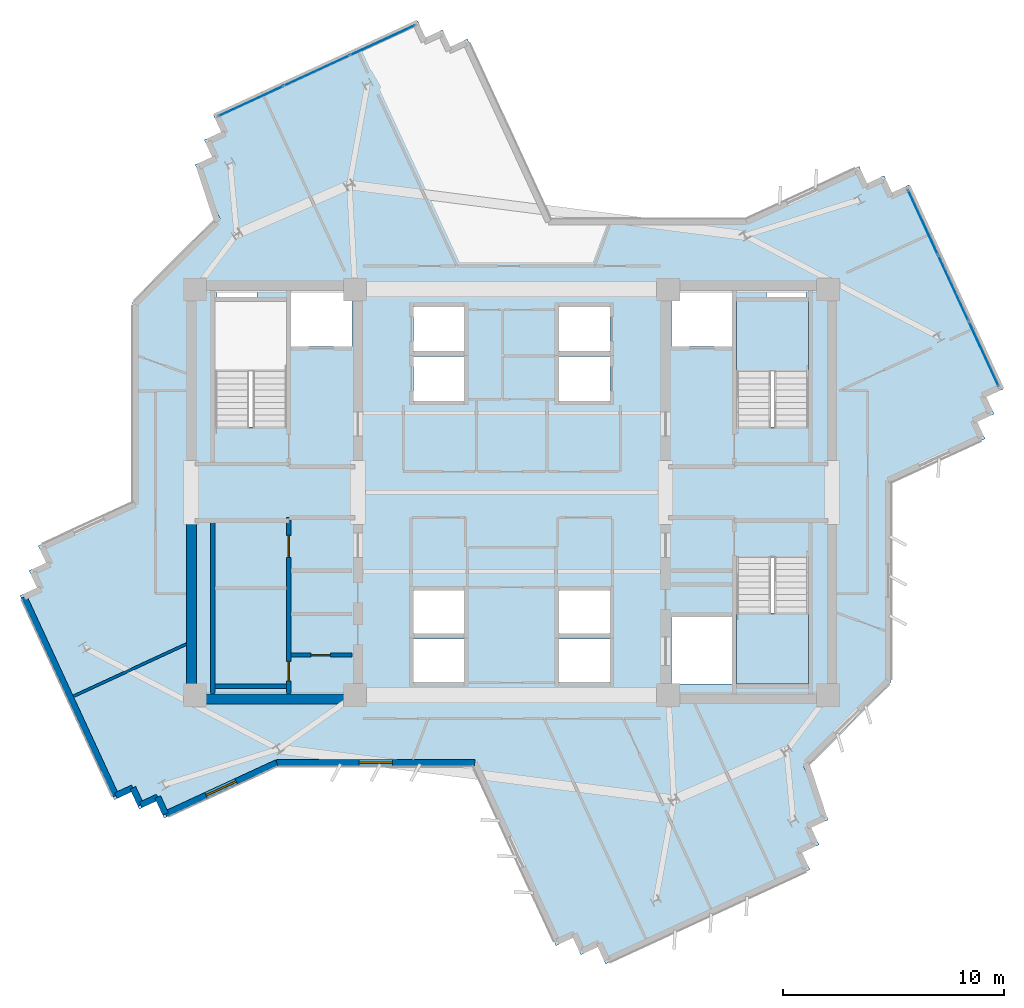
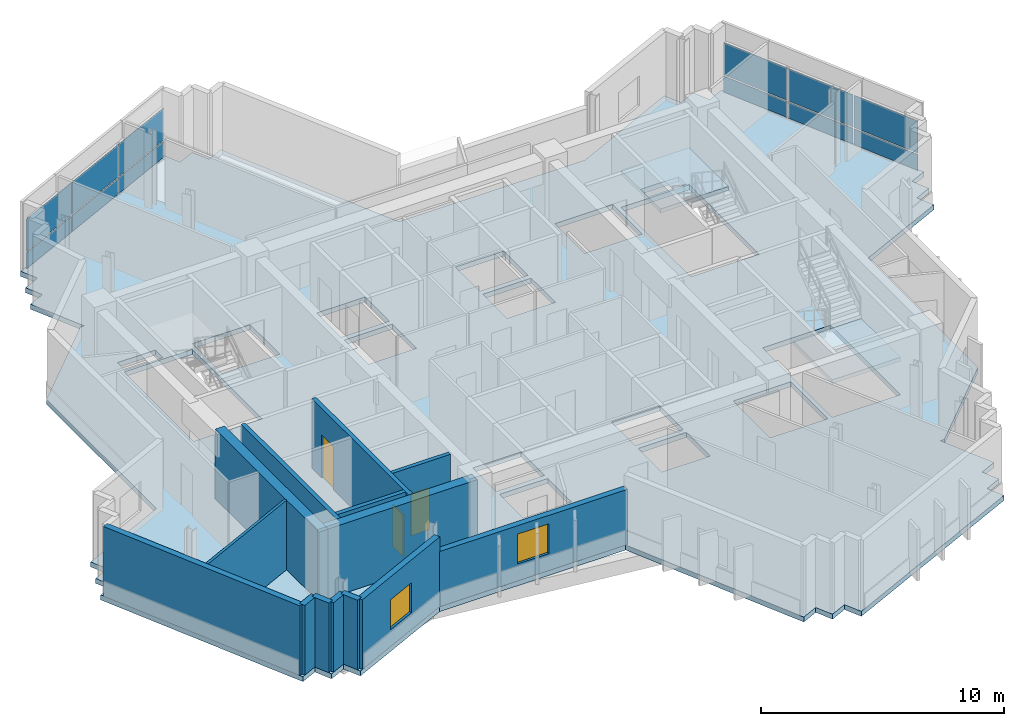
# One storey, part 4 of 12: 14 walls, 12 plates, 3 doors, 3 slabs, 2 windows, 5 openings, 4 elements without a shape of their own.
"""IFC4 building model written with IfcOpenShell, lengths in metres."""

from ifc_helpers import new_model, si_unit, direction, frame, frame_2d, origin, origin_2d, place, context, subcontext, project, spatial, polyline, rectangle, outline, extrude, source, transform, mapped, material, layer, layer_set, type_object, element, fill, aggregate, save


model = new_model("IFC4")

# Units and contexts
model_context = context("Model", 3, precision=1e-05, world=origin(), true_north=direction((0.0, 1.0)))
body_context = subcontext(model_context, "Body", "Model", "MODEL_VIEW")
ifc_project = project(units=[si_unit("LENGTHUNIT", "METRE"), si_unit("AREAUNIT", "SQUARE_METRE"), si_unit("VOLUMEUNIT", "CUBIC_METRE"), si_unit("PLANEANGLEUNIT", "RADIAN"), si_unit("MASSUNIT", "GRAM", prefix="KILO")], contexts=[model_context])

# Site, building, storey
site_placement = place(None, origin())
site = spatial("IfcSite", under=ifc_project, at=site_placement, CompositionType="ELEMENT")
building_placement = place(site_placement, origin())
building = spatial("IfcBuilding", under=site, at=building_placement, Name="Zahravan Cultural Tower", CompositionType="ELEMENT")
storey_placement = place(building_placement, frame((0.0, 0.0, 239.10009765625)))
storey = spatial("IfcBuildingStorey", under=building, at=storey_placement, Name="L56", CompositionType="ELEMENT", Elevation=239.10009765625)

# Stair, slab
ifc_material_1 = material(Name="Concrete C45/55", Category="concrete")
stair_type = type_object("IfcStairType", Name="STR-DL-1550-375", PredefinedType="HALF_TURN_STAIR", material=ifc_material_1)
stair_1_placement = place(storey_placement, origin())
stair_1 = element("IfcStair", 1, at=stair_1_placement, inside=storey, type_object=stair_type, Name="L56 East Core North Exit Stair ST-E1", PredefinedType="HALF_TURN_STAIR")
ifc_layer_1 = layer(ifc_material_1, 0.199951171875)
ifc_layer_set_1 = layer_set([ifc_layer_1], Name="Concrete C45/55")
slab_type_1 = type_object("IfcSlabType", Name="SL-STAIR-LND200", PredefinedType="LANDING", material=ifc_layer_set_1)
slab_1_placement = place(storey_placement, frame((0.0, 0.0, 1.6748046875)))
slab_1 = element("IfcSlab", 2, at=slab_1_placement, type_object=slab_type_1, Name="ST-E1 landing 1", PredefinedType="LANDING", context=body_context, shape_type="SweptSolid", body=[
    extrude(outline(polyline([(49.449951171875, 32.469970703125), (49.449951171875, 35.699951171875), (46.199951171875, 35.699951171875), (46.199951171875, 32.469970703125), (49.449951171875, 32.469970703125)])), origin(), (0.0, 0.0, 1.0), 0.2001953125),
])
aggregate(stair_1, [slab_1])

stair_2_placement = place(storey_placement, origin())
stair_2 = element("IfcStair", 3, at=stair_2_placement, inside=storey, type_object=stair_type, Name="L56 East Core South Exit Stair ST-E2", PredefinedType="HALF_TURN_STAIR")
slab_2_placement = place(storey_placement, frame((0.0, 0.0, 1.6748046875)))
slab_2 = element("IfcSlab", 4, at=slab_2_placement, type_object=slab_type_1, Name="ST-E2 landing 1", PredefinedType="LANDING", context=body_context, shape_type="SweptSolid", body=[
    extrude(outline(polyline([(46.199951171875, 21.530029296875), (46.199951171875, 18.300048828125), (49.449951171875, 18.300048828125), (49.449951171875, 21.530029296875), (46.199951171875, 21.530029296875)])), origin(), (0.0, 0.0, 1.0), 0.2001953125),
])
aggregate(stair_2, [slab_2])

# Slab
ifc_material_2 = material(Name="Concrete C40/50", Category="concrete")
ifc_layer_2 = layer(ifc_material_2, 0.25)
ifc_layer_set_2 = layer_set([ifc_layer_2], Name="Concrete C40/50")
slab_type_2 = type_object("IfcSlabType", Name="SL-TYP-250", PredefinedType="FLOOR", material=ifc_layer_set_2)
slab_3_placement = place(storey_placement, frame((0.0, 0.0, -0.25)))
element("IfcSlab", 5, at=slab_3_placement, inside=storey, type_object=slab_type_2, Name="L56 Structural Floor Slab", PredefinedType="FLOOR", context=body_context, shape_type="SweptSolid", body=[
    extrude(outline(polyline([(46.62451171875, 39.39990234375), (37.76123046875, 39.39990234375), (33.99365234375, 47.553955078125), (33.221923828125, 47.197509765625), (32.865478515625, 47.968994140625), (32.09375, 47.612548828125), (31.7373046875, 48.384033203125), (22.47802734375, 44.105712890625), (22.83447265625, 43.333984375), (22.06298828125, 42.9775390625), (22.41943359375, 42.205810546875), (21.647705078125, 41.849365234375), (22.779541015625, 39.39990234375), (22.60009765625, 39.39990234375), (18.800048828125, 35.60009765625), (18.800048828125, 26.543212890625), (14.538330078125, 24.57421875), (14.894775390625, 23.802490234375), (14.123291015625, 23.446044921875), (14.479736328125, 22.67431640625), (13.7080078125, 22.31787109375), (17.986572265625, 13.05859375), (18.75830078125, 13.4150390625), (19.11474609375, 12.643310546875), (19.88623046875, 13.0), (20.242919921875, 12.228271484375), (25.37548828125, 14.60009765625), (34.23876953125, 14.60009765625), (38.00634765625, 6.446044921875), (38.778076171875, 6.802490234375), (39.134521484375, 6.031005859375), (39.90625, 6.387451171875), (40.2626953125, 5.615966796875), (49.52197265625, 9.894287109375), (49.16552734375, 10.666015625), (49.93701171875, 11.0224609375), (49.58056640625, 11.794189453125), (50.352294921875, 12.150634765625), (49.220458984375, 14.60009765625), (49.39990234375, 14.60009765625), (53.199951171875, 18.39990234375), (53.199951171875, 27.456787109375), (57.461669921875, 29.42578125), (57.105224609375, 30.197509765625), (57.876708984375, 30.553955078125), (57.520263671875, 31.32568359375), (58.2919921875, 31.68212890625), (54.013427734375, 40.94140625), (53.24169921875, 40.5849609375), (52.88525390625, 41.356689453125), (52.11376953125, 41.0), (51.757080078125, 41.771728515625), (46.62451171875, 39.39990234375)]), holes=[polyline([(22.550048828125, 29.949951171875), (22.550048828125, 35.699951171875), (25.800048828125, 35.699951171875), (25.800048828125, 29.949951171875), (22.550048828125, 29.949951171875)]), polyline([(46.199951171875, 29.949951171875), (46.199951171875, 35.699951171875), (49.449951171875, 35.699951171875), (49.449951171875, 29.949951171875), (46.199951171875, 29.949951171875)]), polyline([(46.199951171875, 18.300048828125), (46.199951171875, 24.050048828125), (49.449951171875, 24.050048828125), (49.449951171875, 18.300048828125), (46.199951171875, 18.300048828125)]), polyline([(26.0, 33.60009765625), (26.0, 36.050048828125), (28.75, 36.050048828125), (28.75, 33.60009765625), (26.0, 33.60009765625)]), polyline([(43.25, 33.60009765625), (43.25, 36.050048828125), (46.0, 36.050048828125), (46.0, 33.60009765625), (43.25, 33.60009765625)]), polyline([(43.25, 18.300048828125), (43.25, 21.35009765625), (46.0, 21.35009765625), (46.0, 18.300048828125), (43.25, 18.300048828125)]), polyline([(31.550048828125, 33.39990234375), (31.550048828125, 35.39990234375), (33.85009765625, 35.39990234375), (33.85009765625, 33.39990234375), (31.550048828125, 33.39990234375)]), polyline([(31.550048828125, 31.14990234375), (31.550048828125, 33.14990234375), (33.85009765625, 33.14990234375), (33.85009765625, 31.14990234375), (31.550048828125, 31.14990234375)]), polyline([(38.14990234375, 33.39990234375), (38.14990234375, 35.39990234375), (40.449951171875, 35.39990234375), (40.449951171875, 33.39990234375), (38.14990234375, 33.39990234375)]), polyline([(38.14990234375, 31.14990234375), (38.14990234375, 33.14990234375), (40.449951171875, 33.14990234375), (40.449951171875, 31.14990234375), (38.14990234375, 31.14990234375)]), polyline([(31.550048828125, 20.60009765625), (31.550048828125, 22.550048828125), (33.85009765625, 22.550048828125), (33.85009765625, 20.60009765625), (31.550048828125, 20.60009765625)]), polyline([(31.550048828125, 18.39990234375), (31.550048828125, 20.35009765625), (33.85009765625, 20.35009765625), (33.85009765625, 18.39990234375), (31.550048828125, 18.39990234375)]), polyline([(38.14990234375, 20.60009765625), (38.14990234375, 22.550048828125), (40.449951171875, 22.550048828125), (40.449951171875, 20.60009765625), (38.14990234375, 20.60009765625)]), polyline([(38.14990234375, 18.39990234375), (38.14990234375, 20.35009765625), (40.449951171875, 20.35009765625), (40.449951171875, 18.39990234375), (38.14990234375, 18.39990234375)]), polyline([(22.64990234375, 35.800048828125), (22.64990234375, 36.419921875), (24.449951171875, 36.419921875), (24.449951171875, 35.800048828125), (22.64990234375, 35.800048828125)]), polyline([(47.550048828125, 35.800048828125), (47.550048828125, 36.419921875), (49.35009765625, 36.419921875), (49.35009765625, 35.800048828125), (47.550048828125, 35.800048828125)])]), origin(), (0.0, 0.0, 1.0), 0.25),
])

# Curtain wall, plates
ifc_material_3 = material(Name="Anodised bronze-aluminium mullion", Category="aluminium")
ifc_layer_3 = layer(ifc_material_3, 0.179931640625)
ifc_layer_set_3 = layer_set([ifc_layer_3], Name="Anodised bronze-aluminium mullion")
curtain_wall_type_1 = type_object("IfcCurtainWallType", Name="CW-SYS-3", PredefinedType="USERDEFINED", material=ifc_layer_set_3)
curtain_wall_1_placement = place(storey_placement, origin())
curtain_wall_1 = element("IfcCurtainWall", 6, at=curtain_wall_1_placement, inside=storey, type_object=curtain_wall_type_1, Name="L56 Recessed Curtain Wall CW-3.1", ObjectType="RECESSED GLAZING", PredefinedType="USERDEFINED")
ifc_material_4 = material(Name="Low-E solar-control double glazing", Category="glass")
ifc_layer_4 = layer(ifc_material_4, 0.028076171875)
ifc_layer_set_4 = layer_set([ifc_layer_4], Name="Low-E solar-control double glazing")
plate_type_1 = type_object("IfcPlateType", Name="CWP-CW-3", PredefinedType="CURTAIN_PANEL", material=ifc_layer_set_4)
shared_shape_1 = source(origin(), body_context, "Body", "SweptSolid", [
    extrude(rectangle(XDim=3.20166015625, YDim=0.028076171875, at=origin_2d()), origin(), (0.0, 0.0, 1.0), 0.794921875),
])
plate_1_placement = place(storey_placement, frame((54.64599609375, 39.239013671875, 0.06982421875), z_axis=(0.0, 0.0, 1.0), x_axis=(0.419457036846, -0.907775189262, 0.0)))
plate_1 = element("IfcPlate", 7, at=plate_1_placement, type_object=plate_type_1, Name="CW-3 panel 1.1", PredefinedType="CURTAIN_PANEL", context=body_context, shape_type="MappedRepresentation", body=[
    mapped(shared_shape_1, transform((0.0, 0.0, 0.0), x_axis=(1.0, 0.0, 0.0), y_axis=(0.0, 1.0, 0.0), z_axis=(0.0, 0.0, 1.0), scale=1.0)),
])
plate_2_placement = place(storey_placement, frame((57.4052734375, 33.267333984375, 0.06982421875), z_axis=(0.0, 0.0, 1.0), x_axis=(0.419457036846, -0.907775189262, 0.0)))
plate_2 = element("IfcPlate", 8, at=plate_2_placement, type_object=plate_type_1, Name="CW-3 panel 3.1", PredefinedType="CURTAIN_PANEL", context=body_context, shape_type="MappedRepresentation", body=[
    mapped(shared_shape_1, transform((0.0, 0.0, 0.0), x_axis=(1.0, 0.0, 0.0), y_axis=(0.0, 1.0, 0.0), z_axis=(0.0, 0.0, 1.0), scale=1.0)),
])
shared_shape_2 = source(origin(), body_context, "Body", "SweptSolid", [
    extrude(rectangle(XDim=3.236572265625, YDim=0.028076171875, at=origin_2d()), origin(), (0.0, 0.0, 1.0), 0.794921875),
])
plate_3_placement = place(storey_placement, frame((56.025634765625, 36.253173828125, 0.06982421875), z_axis=(0.0, 0.0, 1.0), x_axis=(0.419457036846, -0.907775189262, 0.0)))
plate_3 = element("IfcPlate", 9, at=plate_3_placement, type_object=plate_type_1, Name="CW-3 panel 2.1", PredefinedType="CURTAIN_PANEL", context=body_context, shape_type="MappedRepresentation", body=[
    mapped(shared_shape_2, transform((0.0, 0.0, 0.0), x_axis=(1.0, 0.0, 0.0), y_axis=(0.0, 1.0, 0.0), z_axis=(0.0, 0.0, 1.0), scale=1.0)),
])

ifc_layer_5 = layer(ifc_material_3, 0.1650390625)
ifc_layer_set_5 = layer_set([ifc_layer_5], Name="Anodised bronze-aluminium mullion")
curtain_wall_type_2 = type_object("IfcCurtainWallType", Name="CW-SYS-4", PredefinedType="USERDEFINED", material=ifc_layer_set_5)
curtain_wall_2_placement = place(storey_placement, origin())
curtain_wall_2 = element("IfcCurtainWall", 10, at=curtain_wall_2_placement, inside=storey, type_object=curtain_wall_type_2, Name="L56 Recessed Curtain Wall CW-4.2", ObjectType="RECESSED GLAZING", PredefinedType="USERDEFINED")
ifc_layer_6 = layer(ifc_material_4, 0.02587890625)
ifc_layer_set_6 = layer_set([ifc_layer_6], Name="Low-E solar-control double glazing")
plate_type_2 = type_object("IfcPlateType", Name="CWP-CW-4", PredefinedType="CURTAIN_PANEL", material=ifc_layer_set_6)
shared_shape_3 = source(origin(), body_context, "Body", "SweptSolid", [
    extrude(rectangle(XDim=3.209228515625, YDim=0.02587890625, at=origin_2d()), origin(), (0.0, 0.0, 1.0), 0.802490234375),
])
plate_4_placement = place(storey_placement, frame((24.179443359375, 44.737548828125, 0.06494140625), z_axis=(0.0, 0.0, 1.0), x_axis=(0.907775189262, 0.419457036846, 0.0)))
plate_4 = element("IfcPlate", 11, at=plate_4_placement, type_object=plate_type_2, Name="CW-4 panel 1.1", PredefinedType="CURTAIN_PANEL", context=body_context, shape_type="MappedRepresentation", body=[
    mapped(shared_shape_3, transform((0.0, 0.0, 0.0), x_axis=(1.0, 0.0, 0.0), y_axis=(0.0, 1.0, 0.0), z_axis=(0.0, 0.0, 1.0), scale=1.0)),
])
plate_5_placement = place(storey_placement, frame((30.1533203125, 47.498046875, 0.06494140625), z_axis=(0.0, 0.0, 1.0), x_axis=(0.907775189262, 0.419457036846, 0.0)))
plate_5 = element("IfcPlate", 12, at=plate_5_placement, type_object=plate_type_2, Name="CW-4 panel 3.1", PredefinedType="CURTAIN_PANEL", context=body_context, shape_type="MappedRepresentation", body=[
    mapped(shared_shape_3, transform((0.0, 0.0, 0.0), x_axis=(1.0, 0.0, 0.0), y_axis=(0.0, 1.0, 0.0), z_axis=(0.0, 0.0, 1.0), scale=1.0)),
])
shared_shape_4 = source(origin(), body_context, "Body", "SweptSolid", [
    extrude(rectangle(XDim=3.24169921875, YDim=0.02587890625, at=origin_2d()), origin(), (0.0, 0.0, 1.0), 0.802490234375),
])
plate_6_placement = place(storey_placement, frame((27.166259765625, 46.117919921875, 0.06494140625), z_axis=(0.0, 0.0, 1.0), x_axis=(0.907775189262, 0.419457036846, 0.0)))
plate_6 = element("IfcPlate", 13, at=plate_6_placement, type_object=plate_type_2, Name="CW-4 panel 2.1", PredefinedType="CURTAIN_PANEL", context=body_context, shape_type="MappedRepresentation", body=[
    mapped(shared_shape_4, transform((0.0, 0.0, 0.0), x_axis=(1.0, 0.0, 0.0), y_axis=(0.0, 1.0, 0.0), z_axis=(0.0, 0.0, 1.0), scale=1.0)),
])

# Plate
shared_shape_5 = source(origin(), body_context, "Body", "SweptSolid", [
    extrude(rectangle(XDim=3.20166015625, YDim=0.028076171875, at=origin_2d()), origin(), (0.0, 0.0, 1.0), 1.614990234375),
])
plate_7_placement = place(storey_placement, frame((54.64599609375, 39.239013671875, 0.93505859375), z_axis=(0.0, 0.0, 1.0), x_axis=(0.419457036846, -0.907775189262, 0.0)))
plate_7 = element("IfcPlate", 14, at=plate_7_placement, type_object=plate_type_1, Name="CW-3 panel 1.2", PredefinedType="CURTAIN_PANEL", context=body_context, shape_type="MappedRepresentation", body=[
    mapped(shared_shape_5, transform((0.0, 0.0, 0.0), x_axis=(1.0, 0.0, 0.0), y_axis=(0.0, 1.0, 0.0), z_axis=(0.0, 0.0, 1.0), scale=1.0)),
])

plate_8_placement = place(storey_placement, frame((57.4052734375, 33.267333984375, 0.93505859375), z_axis=(0.0, 0.0, 1.0), x_axis=(0.419457036846, -0.907775189262, 0.0)))
plate_8 = element("IfcPlate", 15, at=plate_8_placement, type_object=plate_type_1, Name="CW-3 panel 3.2", PredefinedType="CURTAIN_PANEL", context=body_context, shape_type="MappedRepresentation", body=[
    mapped(shared_shape_5, transform((0.0, 0.0, 0.0), x_axis=(1.0, 0.0, 0.0), y_axis=(0.0, 1.0, 0.0), z_axis=(0.0, 0.0, 1.0), scale=1.0)),
])

shared_shape_6 = source(origin(), body_context, "Body", "SweptSolid", [
    extrude(rectangle(XDim=3.236572265625, YDim=0.028076171875, at=origin_2d()), origin(), (0.0, 0.0, 1.0), 1.614990234375),
])
plate_9_placement = place(storey_placement, frame((56.025634765625, 36.253173828125, 0.93505859375), z_axis=(0.0, 0.0, 1.0), x_axis=(0.419457036846, -0.907775189262, 0.0)))
plate_9 = element("IfcPlate", 16, at=plate_9_placement, type_object=plate_type_1, Name="CW-3 panel 2.2", PredefinedType="CURTAIN_PANEL", context=body_context, shape_type="MappedRepresentation", body=[
    mapped(shared_shape_6, transform((0.0, 0.0, 0.0), x_axis=(1.0, 0.0, 0.0), y_axis=(0.0, 1.0, 0.0), z_axis=(0.0, 0.0, 1.0), scale=1.0)),
])

aggregate(curtain_wall_1, [plate_1, plate_7, plate_3, plate_9, plate_2, plate_8])

shared_shape_7 = source(origin(), body_context, "Body", "SweptSolid", [
    extrude(rectangle(XDim=3.209228515625, YDim=0.02587890625, at=origin_2d()), origin(), (0.0, 0.0, 1.0), 1.62255859375),
])
plate_10_placement = place(storey_placement, frame((24.179443359375, 44.737548828125, 0.932373046875), z_axis=(0.0, 0.0, 1.0), x_axis=(0.907775189262, 0.419457036846, 0.0)))
plate_10 = element("IfcPlate", 17, at=plate_10_placement, type_object=plate_type_2, Name="CW-4 panel 1.2", PredefinedType="CURTAIN_PANEL", context=body_context, shape_type="MappedRepresentation", body=[
    mapped(shared_shape_7, transform((0.0, 0.0, 0.0), x_axis=(1.0, 0.0, 0.0), y_axis=(0.0, 1.0, 0.0), z_axis=(0.0, 0.0, 1.0), scale=1.0)),
])

plate_11_placement = place(storey_placement, frame((30.1533203125, 47.498046875, 0.932373046875), z_axis=(0.0, 0.0, 1.0), x_axis=(0.907775189262, 0.419457036846, 0.0)))
plate_11 = element("IfcPlate", 18, at=plate_11_placement, type_object=plate_type_2, Name="CW-4 panel 3.2", PredefinedType="CURTAIN_PANEL", context=body_context, shape_type="MappedRepresentation", body=[
    mapped(shared_shape_7, transform((0.0, 0.0, 0.0), x_axis=(1.0, 0.0, 0.0), y_axis=(0.0, 1.0, 0.0), z_axis=(0.0, 0.0, 1.0), scale=1.0)),
])

shared_shape_8 = source(origin(), body_context, "Body", "SweptSolid", [
    extrude(rectangle(XDim=3.24169921875, YDim=0.02587890625, at=origin_2d()), origin(), (0.0, 0.0, 1.0), 1.62255859375),
])
plate_12_placement = place(storey_placement, frame((27.166259765625, 46.117919921875, 0.932373046875), z_axis=(0.0, 0.0, 1.0), x_axis=(0.907775189262, 0.419457036846, 0.0)))
plate_12 = element("IfcPlate", 19, at=plate_12_placement, type_object=plate_type_2, Name="CW-4 panel 2.2", PredefinedType="CURTAIN_PANEL", context=body_context, shape_type="MappedRepresentation", body=[
    mapped(shared_shape_8, transform((0.0, 0.0, 0.0), x_axis=(1.0, 0.0, 0.0), y_axis=(0.0, 1.0, 0.0), z_axis=(0.0, 0.0, 1.0), scale=1.0)),
])

aggregate(curtain_wall_2, [plate_4, plate_10, plate_6, plate_12, plate_5, plate_11])

# Wall, opening, window
ifc_material_5 = material(Name="Precast concrete C40/50", Category="concrete")
ifc_layer_7 = layer(ifc_material_5, 0.280029296875)
ifc_layer_set_7 = layer_set([ifc_layer_7], Name="Precast concrete C40/50")
wall_type_1 = type_object("IfcWallType", Name="EW-TC-280", PredefinedType="SOLIDWALL", material=ifc_layer_set_7)
wall_1_placement = place(storey_placement, frame((34.328369140625, 14.739990234375, 0.0), z_axis=(0.0, 0.0, 1.0), x_axis=(-1.0, 0.0, 0.0)))
wall_1 = element("IfcWall", 20, at=wall_1_placement, inside=storey, type_object=wall_type_1, Name="L56 Exterior Masonry Frame Wall 24", PredefinedType="SOLIDWALL", context=body_context, shape_type="SweptSolid", body=[
    extrude(rectangle(XDim=8.983642578125, YDim=0.280029296875, at=frame_2d((4.49169921875, 0.0))), origin(), (0.0, 0.0, 1.0), 2.77197265625),
])
opening_1_placement = place(wall_1_placement, frame((3.741943359375, 0.0, 0.85009765625)))
opening_1 = element("IfcOpeningElement", 21, at=opening_1_placement, cuts=wall_1, Name="Opening WN-03", PredefinedType="OPENING", context=body_context, shape_type="SweptSolid", body=[
    extrude(rectangle(XDim=1.5, YDim=1.5, at=frame_2d((0.75, 0.75))), frame((0.0, 0.14990234375, 0.0), z_axis=(0.0, -1.0, 0.0), x_axis=(1.0, 0.0, 0.0)), (0.0, 0.0, 1.0), 0.300048828125),
])
window_type = type_object("IfcWindowType", Name="WN-REC-1500X1500", PartitioningType="SINGLE_PANEL", PredefinedType="WINDOW", material=ifc_material_4)
shared_shape_9 = source(origin(), body_context, "Body", "SweptSolid", [
    extrude(rectangle(XDim=1.5, YDim=1.5, at=frame_2d((0.75, 0.75))), frame((0.0, 0.030029296875, 0.0), z_axis=(0.0, -1.0, 0.0), x_axis=(1.0, 0.0, 0.0)), (0.0, 0.0, 1.0), 0.06005859375),
])
window_1_placement = place(opening_1_placement, origin())
window_1 = element("IfcWindow", 22, at=window_1_placement, inside=storey, type_object=window_type, Name="L56 Recessed Solar Window 06", OverallHeight=1.5, OverallWidth=1.5, PartitioningType="SINGLE_PANEL", PredefinedType="WINDOW", context=body_context, shape_type="MappedRepresentation", body=[
    mapped(shared_shape_9, transform((0.0, 0.0, 0.0), x_axis=(1.0, 0.0, 0.0), y_axis=(0.0, 1.0, 0.0), z_axis=(0.0, 0.0, 1.0), scale=1.0)),
])
fill(opening_1, window_1)

wall_2_placement = place(storey_placement, frame((25.3447265625, 14.739990234375, 0.0), z_axis=(0.0, 0.0, 1.0), x_axis=(-0.907767275269, -0.419474163627, 0.0)))
wall_2 = element("IfcWall", 23, at=wall_2_placement, inside=storey, type_object=wall_type_1, Name="L56 Exterior Masonry Frame Wall 25", PredefinedType="SOLIDWALL", context=body_context, shape_type="SweptSolid", body=[
    extrude(rectangle(XDim=5.544921875, YDim=0.280029296875, at=frame_2d((2.7724609375, 0.0))), origin(), (0.0, 0.0, 1.0), 3.5),
])
opening_2_placement = place(wall_2_placement, frame((2.02197265625, 0.0, 0.85009765625)))
opening_2 = element("IfcOpeningElement", 24, at=opening_2_placement, cuts=wall_2, Name="Opening WN-03", PredefinedType="OPENING", context=body_context, shape_type="SweptSolid", body=[
    extrude(rectangle(XDim=1.5, YDim=1.5, at=frame_2d((0.75, 0.75))), frame((0.0, 0.14990234375, 0.0), z_axis=(0.0, -1.0, 0.0), x_axis=(1.0, 0.0, 0.0)), (0.0, 0.0, 1.0), 0.300048828125),
])
window_2_placement = place(opening_2_placement, origin())
window_2 = element("IfcWindow", 25, at=window_2_placement, inside=storey, type_object=window_type, Name="L56 Recessed Solar Window 07", OverallHeight=1.5, OverallWidth=1.5, PartitioningType="SINGLE_PANEL", PredefinedType="WINDOW", context=body_context, shape_type="MappedRepresentation", body=[
    mapped(shared_shape_9, transform((0.0, 0.0, 0.0), x_axis=(1.0, 0.0, 0.0), y_axis=(0.0, 1.0, 0.0), z_axis=(0.0, 0.0, 1.0), scale=1.0)),
])
fill(opening_2, window_2)

# Wall, opening, door
ifc_material_6 = material(Name="Gypsum plasterboard partition")
ifc_layer_8 = layer(ifc_material_6, 0.179931640625)
ifc_layer_set_8 = layer_set([ifc_layer_8], Name="Gypsum plasterboard partition")
wall_type_2 = type_object("IfcWallType", Name="W-COMP-180", PredefinedType="PARTITIONING", material=ifc_layer_set_8)
wall_3_placement = place(storey_placement, frame((26.0, 19.6201171875, 0.0), z_axis=(0.0, 0.0, 1.0), x_axis=(1.0, 0.0, 0.0)))
wall_3 = element("IfcWall", 26, at=wall_3_placement, inside=storey, type_object=wall_type_2, Name="L56 Interior Wall 027", PredefinedType="PARTITIONING", context=body_context, shape_type="SweptSolid", body=[
    extrude(rectangle(XDim=2.75, YDim=0.179931640625, at=frame_2d((1.375, 0.0))), origin(), (0.0, 0.0, 1.0), 3.5),
])
opening_3_placement = place(wall_3_placement, frame((0.89990234375, 0.0, 0.0)))
opening_3 = element("IfcOpeningElement", 27, at=opening_3_placement, cuts=wall_3, Name="Opening D-L56-10", PredefinedType="OPENING", context=body_context, shape_type="SweptSolid", body=[
    extrude(rectangle(XDim=0.8798828125, YDim=2.10009765625, at=frame_2d((0.43994140625, 1.050048828125))), frame((0.0, 0.099853515625, 0.0), z_axis=(0.0, -1.0, 0.0), x_axis=(1.0, 0.0, 0.0)), (0.0, 0.0, 1.0), 0.199951171875),
])
ifc_material_7 = material(Name="Steel ASTM A572 Grade 50", Category="steel")
door_type_1 = type_object("IfcDoorType", Name="DR-SVC-880", OperationType="NOTDEFINED", PredefinedType="DOOR", material=ifc_material_7)
shared_shape_10 = source(origin(), body_context, "Body", "SweptSolid", [
    extrude(rectangle(XDim=0.8798828125, YDim=2.10009765625, at=frame_2d((0.43994140625, 1.050048828125))), frame((0.0, 0.02490234375, 0.0), z_axis=(0.0, -1.0, 0.0), x_axis=(1.0, 0.0, 0.0)), (0.0, 0.0, 1.0), 0.050048828125),
])
door_1_placement = place(opening_3_placement, origin())
door_1 = element("IfcDoor", 28, at=door_1_placement, inside=storey, type_object=door_type_1, Name="L56 Door D-L56-10", OperationType="SINGLE_SWING_LEFT", OverallHeight=2.10009765625, OverallWidth=0.8798828125, PredefinedType="DOOR", context=body_context, shape_type="MappedRepresentation", body=[
    mapped(shared_shape_10, transform((0.0, 0.0, 0.0), x_axis=(1.0, 0.0, 0.0), y_axis=(0.0, 1.0, 0.0), z_axis=(0.0, 0.0, 1.0), scale=1.0)),
])
fill(opening_3, door_1)

# Wall, openings, doors
ifc_layer_9 = layer(ifc_material_1, 0.199951171875)
ifc_layer_set_9 = layer_set([ifc_layer_9], Name="Concrete C45/55")
wall_type_3 = type_object("IfcWallType", Name="W-SHAFT-200", PredefinedType="SOLIDWALL", material=ifc_layer_set_9)
wall_4_placement = place(storey_placement, frame((25.89990234375, 17.85009765625, 0.0), z_axis=(0.0, 0.0, 1.0), x_axis=(0.0, 1.0, 0.0)))
wall_4 = element("IfcWall", 29, at=wall_4_placement, inside=storey, type_object=wall_type_3, Name="L56 Interior Wall 005", PredefinedType="SOLIDWALL", context=body_context, shape_type="SweptSolid", body=[
    extrude(rectangle(XDim=8.0, YDim=0.199951171875, at=frame_2d((4.0, 0.0))), origin(), (0.0, 0.0, 1.0), 3.5),
])
opening_4_placement = place(wall_4_placement, frame((6.199951171875, 0.0, 0.0)))
opening_4 = element("IfcOpeningElement", 30, at=opening_4_placement, cuts=wall_4, Name="Opening D-L56-04", PredefinedType="OPENING", context=body_context, shape_type="SweptSolid", body=[
    extrude(rectangle(XDim=1.0, YDim=2.14990234375, at=frame_2d((0.5, 1.074951171875))), frame((0.0, 0.10986328125, 0.0), z_axis=(0.0, -1.0, 0.0), x_axis=(1.0, 0.0, 0.0)), (0.0, 0.0, 1.0), 0.219970703125),
])
opening_5_placement = place(wall_4_placement, frame((0.60009765625, 0.0, 0.0)))
opening_5 = element("IfcOpeningElement", 31, at=opening_5_placement, cuts=wall_4, Name="Opening D-L56-05", PredefinedType="OPENING", context=body_context, shape_type="SweptSolid", body=[
    extrude(rectangle(XDim=0.8798828125, YDim=2.10009765625, at=frame_2d((0.43994140625, 1.050048828125))), frame((0.0, 0.10986328125, 0.0), z_axis=(0.0, -1.0, 0.0), x_axis=(1.0, 0.0, 0.0)), (0.0, 0.0, 1.0), 0.219970703125),
])
door_2_placement = place(opening_5_placement, origin())
door_2 = element("IfcDoor", 32, at=door_2_placement, inside=storey, type_object=door_type_1, Name="L56 Door D-L56-05", OperationType="SINGLE_SWING_RIGHT", OverallHeight=2.10009765625, OverallWidth=0.8798828125, PredefinedType="DOOR", context=body_context, shape_type="MappedRepresentation", body=[
    mapped(shared_shape_10, transform((0.0, 0.0, 0.0), x_axis=(1.0, 0.0, 0.0), y_axis=(0.0, 1.0, 0.0), z_axis=(0.0, 0.0, 1.0), scale=1.0)),
])
fill(opening_5, door_2)
door_type_2 = type_object("IfcDoorType", Name="DR-COMP-1000", OperationType="NOTDEFINED", PredefinedType="DOOR", material=ifc_material_7)
shared_shape_11 = source(origin(), body_context, "Body", "SweptSolid", [
    extrude(rectangle(XDim=1.0, YDim=2.14990234375, at=frame_2d((0.5, 1.074951171875))), frame((0.0, 0.02490234375, 0.0), z_axis=(0.0, -1.0, 0.0), x_axis=(1.0, 0.0, 0.0)), (0.0, 0.0, 1.0), 0.050048828125),
])
door_3_placement = place(opening_4_placement, origin())
door_3 = element("IfcDoor", 33, at=door_3_placement, inside=storey, type_object=door_type_2, Name="L56 Door D-L56-04", OperationType="SINGLE_SWING_LEFT", OverallHeight=2.14990234375, OverallWidth=1.0, PredefinedType="DOOR", context=body_context, shape_type="MappedRepresentation", body=[
    mapped(shared_shape_11, transform((0.0, 0.0, 0.0), x_axis=(1.0, 0.0, 0.0), y_axis=(0.0, 1.0, 0.0), z_axis=(0.0, 0.0, 1.0), scale=1.0)),
])
fill(opening_4, door_3)

# Walls
ifc_material_8 = material(Name="Concrete C50/60", Category="concrete")
ifc_layer_10 = layer(ifc_material_8, 0.449951171875)
ifc_layer_set_10 = layer_set([ifc_layer_10], Name="Concrete C50/60")
wall_type_4 = type_object("IfcWallType", Name="CW-SHEAR-450-C50", PredefinedType="SHEAR", material=ifc_layer_set_10)
shared_shape_12 = source(origin(), body_context, "Body", "SweptSolid", [
    extrude(rectangle(XDim=8.550048828125, YDim=0.449951171875, at=frame_2d((4.27490234375, 0.0))), origin(), (0.0, 0.0, 1.0), 3.5),
])
wall_5_placement = place(storey_placement, frame((21.47509765625, 17.39990234375, 0.0), z_axis=(0.0, 0.0, 1.0), x_axis=(0.0, 1.0, 0.0)))
element("IfcWall", 34, at=wall_5_placement, inside=storey, type_object=wall_type_4, Name="L56 Core Shear Wall CW-W-WS-L56", PredefinedType="SHEAR", context=body_context, shape_type="MappedRepresentation", body=[
    mapped(shared_shape_12, transform((0.0, 0.0, 0.0), x_axis=(1.0, 0.0, 0.0), y_axis=(0.0, 1.0, 0.0), z_axis=(0.0, 0.0, 1.0), scale=1.0)),
])
shared_shape_13 = source(origin(), body_context, "Body", "SweptSolid", [
    extrude(rectangle(XDim=7.10009765625, YDim=0.449951171875, at=frame_2d((3.550048828125, 0.0))), origin(), (0.0, 0.0, 1.0), 3.5),
])
wall_6_placement = place(storey_placement, frame((21.699951171875, 17.625, 0.0), z_axis=(0.0, 0.0, 1.0), x_axis=(1.0, 0.0, 0.0)))
element("IfcWall", 35, at=wall_6_placement, inside=storey, type_object=wall_type_4, Name="L56 Core Shear Wall CW-W-S-L56", PredefinedType="SHEAR", context=body_context, shape_type="MappedRepresentation", body=[
    mapped(shared_shape_13, transform((0.0, 0.0, 0.0), x_axis=(1.0, 0.0, 0.0), y_axis=(0.0, 1.0, 0.0), z_axis=(0.0, 0.0, 1.0), scale=1.0)),
])
shared_shape_14 = source(origin(), body_context, "Body", "SweptSolid", [
    extrude(rectangle(XDim=0.85009765625, YDim=0.280029296875, at=frame_2d((0.425048828125, 0.0))), origin(), (0.0, 0.0, 1.0), 3.5),
])
for number, where, z_axis, x_axis, name in (
    (36, (20.311279296875, 12.4140625, 0.0), (0.0, 0.0, 1.0), (-0.419549800563, 0.907732320041, 0.0), "L56 Exterior Masonry Frame Wall 26"),
    (37, (19.18310546875, 12.8291015625, 0.0), (0.0, 0.0, 1.0), (-0.419313139191, 0.907841666427, 0.0), "L56 Exterior Masonry Frame Wall 28"),
    (38, (18.82666015625, 13.600830078125, 0.0), (0.0, 0.0, 1.0), (-0.907841666427, -0.419313139191, 0.0), "L56 Exterior Masonry Frame Wall 29"),
):
    element("IfcWall", number, at=place(storey_placement, frame(where, z_axis=z_axis, x_axis=x_axis)), inside=storey, type_object=wall_type_1, Name=name, PredefinedType="SOLIDWALL", context=body_context, shape_type="MappedRepresentation", body=[
        mapped(shared_shape_14, transform((0.0, 0.0, 0.0), x_axis=(1.0, 0.0, 0.0), y_axis=(0.0, 1.0, 0.0), z_axis=(0.0, 0.0, 1.0), scale=1.0)),
    ])
shared_shape_15 = source(origin(), body_context, "Body", "SweptSolid", [
    extrude(rectangle(XDim=0.849853515625, YDim=0.280029296875, at=frame_2d((0.4248046875, 0.0))), origin(), (0.0, 0.0, 1.0), 3.5),
])
wall_7_placement = place(storey_placement, frame((19.95458984375, 13.185791015625, 0.0), z_axis=(0.0, 0.0, 1.0), x_axis=(-0.907681752694, -0.41965919009, 0.0)))
element("IfcWall", 39, at=wall_7_placement, inside=storey, type_object=wall_type_1, Name="L56 Exterior Masonry Frame Wall 27", PredefinedType="SOLIDWALL", context=body_context, shape_type="MappedRepresentation", body=[
    mapped(shared_shape_15, transform((0.0, 0.0, 0.0), x_axis=(1.0, 0.0, 0.0), y_axis=(0.0, 1.0, 0.0), z_axis=(0.0, 0.0, 1.0), scale=1.0)),
])
shared_shape_16 = source(origin(), body_context, "Body", "SweptSolid", [
    extrude(rectangle(XDim=9.920166015625, YDim=0.280029296875, at=frame_2d((4.9599609375, 0.0))), origin(), (0.0, 0.0, 1.0), 3.5),
])
wall_8_placement = place(storey_placement, frame((18.054931640625, 13.244384765625, 0.0), z_axis=(0.0, 0.0, 1.0), x_axis=(-0.41946703495, 0.907770569357, 0.0)))
element("IfcWall", 40, at=wall_8_placement, inside=storey, type_object=wall_type_1, Name="L56 Exterior Masonry Frame Wall 30", PredefinedType="SOLIDWALL", context=body_context, shape_type="MappedRepresentation", body=[
    mapped(shared_shape_16, transform((0.0, 0.0, 0.0), x_axis=(1.0, 0.0, 0.0), y_axis=(0.0, 1.0, 0.0), z_axis=(0.0, 0.0, 1.0), scale=1.0)),
])
shared_shape_17 = source(origin(), body_context, "Body", "SweptSolid", [
    extrude(rectangle(XDim=7.869873046875, YDim=0.199951171875, at=frame_2d((3.93505859375, 0.0))), origin(), (0.0, 0.0, 1.0), 3.5),
])
wall_9_placement = place(storey_placement, frame((22.449951171875, 17.85009765625, 0.0), z_axis=(0.0, 0.0, 1.0), x_axis=(0.0, 1.0, 0.0)))
element("IfcWall", 41, at=wall_9_placement, inside=storey, type_object=wall_type_3, Name="L56 Interior Wall 001", PredefinedType="SOLIDWALL", context=body_context, shape_type="MappedRepresentation", body=[
    mapped(shared_shape_17, transform((0.0, 0.0, 0.0), x_axis=(1.0, 0.0, 0.0), y_axis=(0.0, 1.0, 0.0), z_axis=(0.0, 0.0, 1.0), scale=1.0)),
])
shared_shape_18 = source(origin(), body_context, "Body", "SweptSolid", [
    extrude(rectangle(XDim=3.25, YDim=0.199951171875, at=frame_2d((1.625, 0.0))), origin(), (0.0, 0.0, 1.0), 3.5),
])
wall_10_placement = place(storey_placement, frame((22.550048828125, 18.199951171875, 0.0), z_axis=(0.0, 0.0, 1.0), x_axis=(1.0, 0.0, 0.0)))
element("IfcWall", 42, at=wall_10_placement, inside=storey, type_object=wall_type_3, Name="L56 Interior Wall 019", PredefinedType="SOLIDWALL", context=body_context, shape_type="MappedRepresentation", body=[
    mapped(shared_shape_18, transform((0.0, 0.0, 0.0), x_axis=(1.0, 0.0, 0.0), y_axis=(0.0, 1.0, 0.0), z_axis=(0.0, 0.0, 1.0), scale=1.0)),
])
ifc_layer_11 = layer(ifc_material_6, 0.125)
ifc_layer_set_11 = layer_set([ifc_layer_11], Name="Gypsum plasterboard partition")
wall_type_5 = type_object("IfcWallType", Name="W-PART-125", PredefinedType="PARTITIONING", material=ifc_layer_set_11)
shared_shape_19 = source(origin(), body_context, "Body", "SweptSolid", [
    extrude(rectangle(XDim=5.633544921875, YDim=0.125, at=frame_2d((2.81689453125, 0.0))), origin(), (0.0, 0.0, 1.0), 3.5),
])
wall_11_placement = place(storey_placement, frame((21.2451171875, 20.1162109375, 0.0), z_axis=(0.0, 0.0, 1.0), x_axis=(-0.90777538002, -0.419456624014, 0.0)))
element("IfcWall", 43, at=wall_11_placement, inside=storey, type_object=wall_type_5, Name="L56 Interior Wall 112", PredefinedType="PARTITIONING", context=body_context, shape_type="MappedRepresentation", body=[
    mapped(shared_shape_19, transform((0.0, 0.0, 0.0), x_axis=(1.0, 0.0, 0.0), y_axis=(0.0, 1.0, 0.0), z_axis=(0.0, 0.0, 1.0), scale=1.0)),
])

save(model, "model.ifc")
